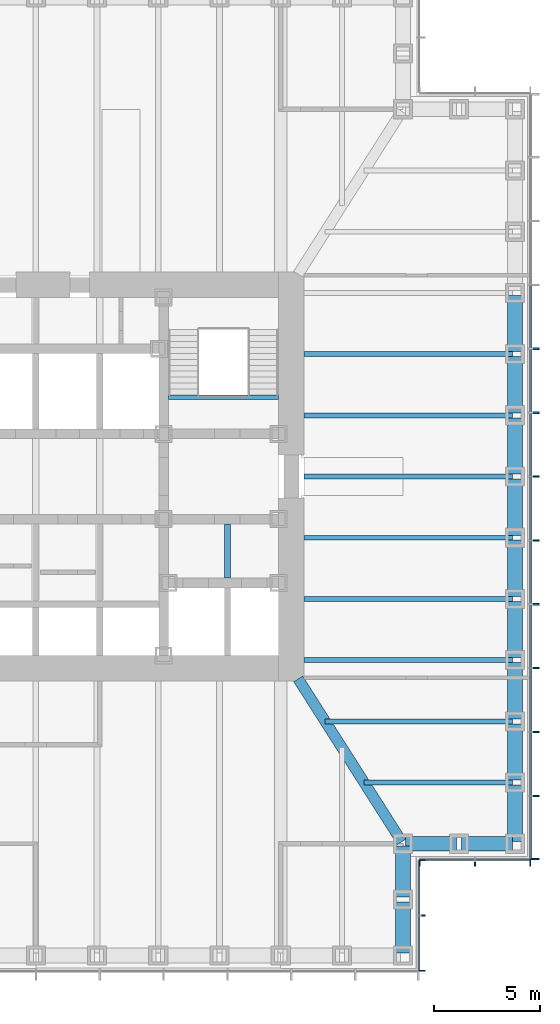
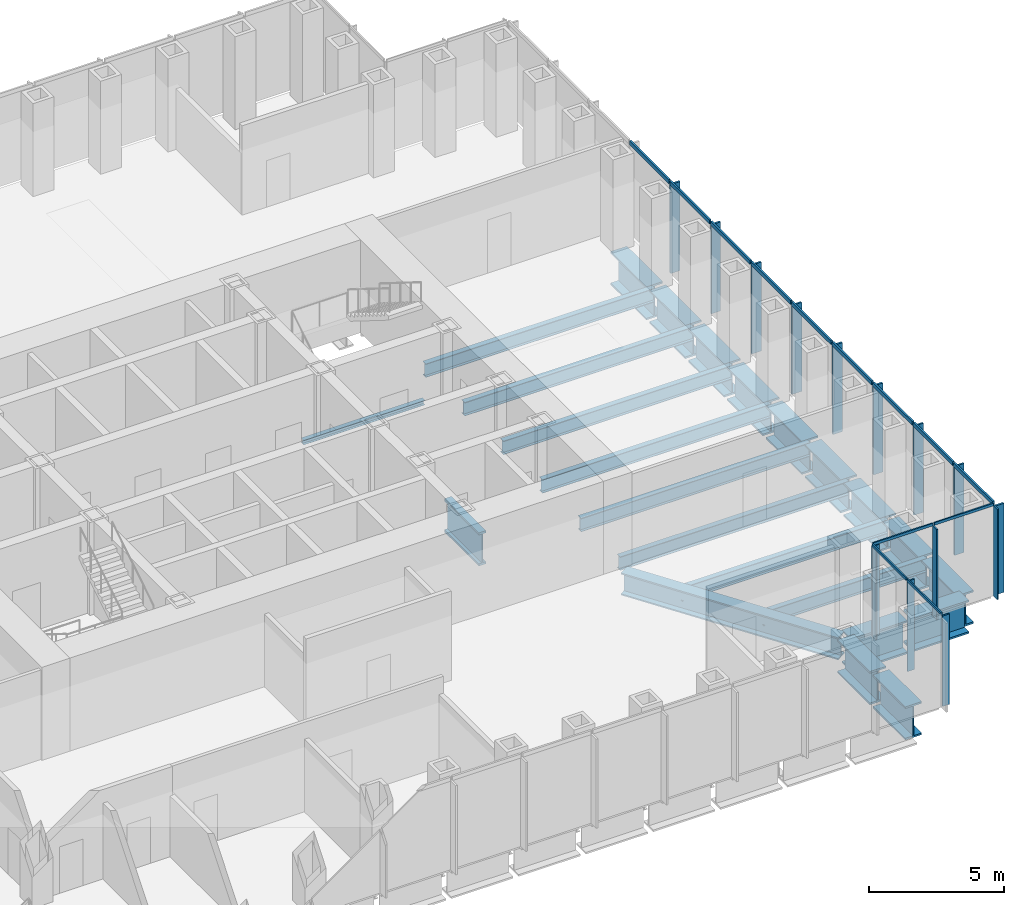
# One storey, part 4 of 16: 28 members, 24 beams, 3 elements without a shape of their own.
"""IFC4 building model written with IfcOpenShell, lengths in metres."""

from ifc_helpers import new_model, si_unit, direction, frame, origin, origin_2d, place, context, subcontext, project, spatial, rectangle, i_section, extrude, material, material_profile, profile_set, type_object, element, aggregate, save


model = new_model("IFC4")

# Units and contexts
model_context = context("Model", 3, precision=1e-05, world=origin(), true_north=direction((0.0, 1.0)))
body_context = subcontext(model_context, "Body", "Model", "MODEL_VIEW")
ifc_project = project(units=[si_unit("LENGTHUNIT", "METRE"), si_unit("AREAUNIT", "SQUARE_METRE"), si_unit("VOLUMEUNIT", "CUBIC_METRE"), si_unit("PLANEANGLEUNIT", "RADIAN"), si_unit("MASSUNIT", "GRAM", prefix="KILO")], contexts=[model_context])

# Site, building, storey
site_placement = place(None, origin())
site = spatial("IfcSite", under=ifc_project, at=site_placement, CompositionType="ELEMENT")
building_placement = place(site_placement, origin())
building = spatial("IfcBuilding", under=site, at=building_placement, Name="Daluyong Arena Tower", CompositionType="ELEMENT")
storey_placement = place(building_placement, frame((0.0, 0.0, 120.699951171875)))
storey = spatial("IfcBuildingStorey", under=building, at=storey_placement, Name="L26", CompositionType="ELEMENT", Elevation=120.699951171875)

# Curtain wall, members
ifc_material_1 = material(Name="Bronze anodised aluminium and glass", Category="aluminium")
curtain_wall_type_1 = type_object("IfcCurtainWallType", Name="Curtain wall CW2", PredefinedType="USERDEFINED", material=ifc_material_1)
curtain_wall_1_placement = place(storey_placement, origin())
curtain_wall_1 = element("IfcCurtainWall", 1, at=curtain_wall_1_placement, inside=storey, type_object=curtain_wall_type_1, Name="curtain wall L26 E", ObjectType="UNITISED CURTAIN WALL", PredefinedType="USERDEFINED")
ifc_material_2 = material(Name="Bronze anodised aluminium fin", Category="aluminium")
ifc_material_profile_1 = material_profile(ifc_material_2, rectangle(XDim=0.39990234375, YDim=0.080078125, at=origin_2d()))
ifc_profile_set_1 = profile_set([ifc_material_profile_1], Name="Bronze anodised aluminium fin")
member_type_1 = type_object("IfcMemberType", Name="CW2 bronze fin 400x80", PredefinedType="MULLION", material=ifc_profile_set_1)
member_1_placement = place(storey_placement, frame((79.449951171875, 62.0400390625, 0.0), z_axis=(0.0, 0.0, 1.0), x_axis=(-1.0, 0.0, 0.0)))
member_1 = element("IfcMember", 2, at=member_1_placement, type_object=member_type_1, Name="curtain wall L26 E fin 1", PredefinedType="MULLION", context=body_context, shape_type="SweptSolid", body=[
    extrude(rectangle(XDim=0.39990234375, YDim=0.080078125, at=origin_2d()), origin(), (0.0, 0.0, 1.0), 4.02001953125),
])
member_2_placement = place(storey_placement, frame((79.449951171875, 65.0, 0.0), z_axis=(0.0, 0.0, 1.0), x_axis=(-1.0, 0.0, 0.0)))
member_2 = element("IfcMember", 3, at=member_2_placement, type_object=member_type_1, Name="curtain wall L26 E fin 2", PredefinedType="MULLION", context=body_context, shape_type="SweptSolid", body=[
    extrude(rectangle(XDim=0.39990234375, YDim=0.080078125, at=origin_2d()), origin(), (0.0, 0.0, 1.0), 4.02001953125),
])
member_3_placement = place(storey_placement, frame((79.449951171875, 68.0, 0.0), z_axis=(0.0, 0.0, 1.0), x_axis=(-1.0, 0.0, 0.0)))
member_3 = element("IfcMember", 4, at=member_3_placement, type_object=member_type_1, Name="curtain wall L26 E fin 3", PredefinedType="MULLION", context=body_context, shape_type="SweptSolid", body=[
    extrude(rectangle(XDim=0.39990234375, YDim=0.080078125, at=origin_2d()), origin(), (0.0, 0.0, 1.0), 4.02001953125),
])
member_4_placement = place(storey_placement, frame((79.449951171875, 71.0, 0.0), z_axis=(0.0, 0.0, 1.0), x_axis=(-1.0, 0.0, 0.0)))
member_4 = element("IfcMember", 5, at=member_4_placement, type_object=member_type_1, Name="curtain wall L26 E fin 4", PredefinedType="MULLION", context=body_context, shape_type="SweptSolid", body=[
    extrude(rectangle(XDim=0.39990234375, YDim=0.080078125, at=origin_2d()), origin(), (0.0, 0.0, 1.0), 4.02001953125),
])
member_5_placement = place(storey_placement, frame((79.449951171875, 74.0, 0.0), z_axis=(0.0, 0.0, 1.0), x_axis=(-1.0, 0.0, 0.0)))
member_5 = element("IfcMember", 6, at=member_5_placement, type_object=member_type_1, Name="curtain wall L26 E fin 5", PredefinedType="MULLION", context=body_context, shape_type="SweptSolid", body=[
    extrude(rectangle(XDim=0.39990234375, YDim=0.080078125, at=origin_2d()), origin(), (0.0, 0.0, 1.0), 4.02001953125),
])
member_6_placement = place(storey_placement, frame((79.449951171875, 77.0, 0.0), z_axis=(0.0, 0.0, 1.0), x_axis=(-1.0, 0.0, 0.0)))
member_6 = element("IfcMember", 7, at=member_6_placement, type_object=member_type_1, Name="curtain wall L26 E fin 6", PredefinedType="MULLION", context=body_context, shape_type="SweptSolid", body=[
    extrude(rectangle(XDim=0.39990234375, YDim=0.080078125, at=origin_2d()), origin(), (0.0, 0.0, 1.0), 4.02001953125),
])
member_7_placement = place(storey_placement, frame((79.449951171875, 80.0, 0.0), z_axis=(0.0, 0.0, 1.0), x_axis=(-1.0, 0.0, 0.0)))
member_7 = element("IfcMember", 8, at=member_7_placement, type_object=member_type_1, Name="curtain wall L26 E fin 7", PredefinedType="MULLION", context=body_context, shape_type="SweptSolid", body=[
    extrude(rectangle(XDim=0.39990234375, YDim=0.080078125, at=origin_2d()), origin(), (0.0, 0.0, 1.0), 4.02001953125),
])
member_8_placement = place(storey_placement, frame((79.449951171875, 83.0, 0.0), z_axis=(0.0, 0.0, 1.0), x_axis=(-1.0, 0.0, 0.0)))
member_8 = element("IfcMember", 9, at=member_8_placement, type_object=member_type_1, Name="curtain wall L26 E fin 8", PredefinedType="MULLION", context=body_context, shape_type="SweptSolid", body=[
    extrude(rectangle(XDim=0.39990234375, YDim=0.080078125, at=origin_2d()), origin(), (0.0, 0.0, 1.0), 4.02001953125),
])
member_9_placement = place(storey_placement, frame((79.449951171875, 86.0, 0.0), z_axis=(0.0, 0.0, 1.0), x_axis=(-1.0, 0.0, 0.0)))
member_9 = element("IfcMember", 10, at=member_9_placement, type_object=member_type_1, Name="curtain wall L26 E fin 9", PredefinedType="MULLION", context=body_context, shape_type="SweptSolid", body=[
    extrude(rectangle(XDim=0.39990234375, YDim=0.080078125, at=origin_2d()), origin(), (0.0, 0.0, 1.0), 4.02001953125),
])
ifc_material_3 = material(Name="Bronze anodised aluminium", Category="aluminium")
ifc_material_profile_2 = material_profile(ifc_material_3, rectangle(XDim=0.080078125, YDim=0.179931640625, at=origin_2d()))
ifc_profile_set_2 = profile_set([ifc_material_profile_2], Name="Bronze anodised aluminium")
member_type_2 = type_object("IfcMemberType", Name="CW2 stack transom 180x80", PredefinedType="USERDEFINED", material=ifc_profile_set_2)
member_10_placement = place(storey_placement, frame((79.25, 62.080078125, 4.110107421875), z_axis=(0.0, 1.0, 0.0), x_axis=(-1.0, 0.0, 0.0)))
member_10 = element("IfcMember", 11, at=member_10_placement, type_object=member_type_2, Name="curtain wall L26 E transom 1", ObjectType="TRANSOM", PredefinedType="USERDEFINED", context=body_context, shape_type="SweptSolid", body=[
    extrude(rectangle(XDim=0.080078125, YDim=0.179931640625, at=origin_2d()), origin(), (0.0, 0.0, 1.0), 2.8798828125),
])
member_11_placement = place(storey_placement, frame((79.25, 65.0400390625, 4.110107421875), z_axis=(0.0, 1.0, 0.0), x_axis=(-1.0, 0.0, 0.0)))
member_11 = element("IfcMember", 12, at=member_11_placement, type_object=member_type_2, Name="curtain wall L26 E transom 2", ObjectType="TRANSOM", PredefinedType="USERDEFINED", context=body_context, shape_type="SweptSolid", body=[
    extrude(rectangle(XDim=0.080078125, YDim=0.179931640625, at=origin_2d()), origin(), (0.0, 0.0, 1.0), 2.919921875),
])
member_12_placement = place(storey_placement, frame((79.25, 68.0400390625, 4.110107421875), z_axis=(0.0, 1.0, 0.0), x_axis=(-1.0, 0.0, 0.0)))
member_12 = element("IfcMember", 13, at=member_12_placement, type_object=member_type_2, Name="curtain wall L26 E transom 3", ObjectType="TRANSOM", PredefinedType="USERDEFINED", context=body_context, shape_type="SweptSolid", body=[
    extrude(rectangle(XDim=0.080078125, YDim=0.179931640625, at=origin_2d()), origin(), (0.0, 0.0, 1.0), 2.919921875),
])
member_13_placement = place(storey_placement, frame((79.25, 71.0400390625, 4.110107421875), z_axis=(0.0, 1.0, 0.0), x_axis=(-1.0, 0.0, 0.0)))
member_13 = element("IfcMember", 14, at=member_13_placement, type_object=member_type_2, Name="curtain wall L26 E transom 4", ObjectType="TRANSOM", PredefinedType="USERDEFINED", context=body_context, shape_type="SweptSolid", body=[
    extrude(rectangle(XDim=0.080078125, YDim=0.179931640625, at=origin_2d()), origin(), (0.0, 0.0, 1.0), 2.919921875),
])
member_14_placement = place(storey_placement, frame((79.25, 74.0400390625, 4.110107421875), z_axis=(0.0, 1.0, 0.0), x_axis=(-1.0, 0.0, 0.0)))
member_14 = element("IfcMember", 15, at=member_14_placement, type_object=member_type_2, Name="curtain wall L26 E transom 5", ObjectType="TRANSOM", PredefinedType="USERDEFINED", context=body_context, shape_type="SweptSolid", body=[
    extrude(rectangle(XDim=0.080078125, YDim=0.179931640625, at=origin_2d()), origin(), (0.0, 0.0, 1.0), 2.919921875),
])
member_15_placement = place(storey_placement, frame((79.25, 77.0400390625, 4.110107421875), z_axis=(0.0, 1.0, 0.0), x_axis=(-1.0, 0.0, 0.0)))
member_15 = element("IfcMember", 16, at=member_15_placement, type_object=member_type_2, Name="curtain wall L26 E transom 6", ObjectType="TRANSOM", PredefinedType="USERDEFINED", context=body_context, shape_type="SweptSolid", body=[
    extrude(rectangle(XDim=0.080078125, YDim=0.179931640625, at=origin_2d()), origin(), (0.0, 0.0, 1.0), 2.919921875),
])
member_16_placement = place(storey_placement, frame((79.25, 80.0400390625, 4.110107421875), z_axis=(0.0, 1.0, 0.0), x_axis=(-1.0, 0.0, 0.0)))
member_16 = element("IfcMember", 17, at=member_16_placement, type_object=member_type_2, Name="curtain wall L26 E transom 7", ObjectType="TRANSOM", PredefinedType="USERDEFINED", context=body_context, shape_type="SweptSolid", body=[
    extrude(rectangle(XDim=0.080078125, YDim=0.179931640625, at=origin_2d()), origin(), (0.0, 0.0, 1.0), 2.919921875),
])
member_17_placement = place(storey_placement, frame((79.25, 83.0400390625, 4.110107421875), z_axis=(0.0, 1.0, 0.0), x_axis=(-1.0, 0.0, 0.0)))
member_17 = element("IfcMember", 18, at=member_17_placement, type_object=member_type_2, Name="curtain wall L26 E transom 8", ObjectType="TRANSOM", PredefinedType="USERDEFINED", context=body_context, shape_type="SweptSolid", body=[
    extrude(rectangle(XDim=0.080078125, YDim=0.179931640625, at=origin_2d()), origin(), (0.0, 0.0, 1.0), 2.919921875),
])
member_18_placement = place(storey_placement, frame((79.25, 86.0400390625, 4.110107421875), z_axis=(0.0, 1.0, 0.0), x_axis=(-1.0, 0.0, 0.0)))
member_18 = element("IfcMember", 19, at=member_18_placement, type_object=member_type_2, Name="curtain wall L26 E transom 9", ObjectType="TRANSOM", PredefinedType="USERDEFINED", context=body_context, shape_type="SweptSolid", body=[
    extrude(rectangle(XDim=0.080078125, YDim=0.179931640625, at=origin_2d()), origin(), (0.0, 0.0, 1.0), 2.919921875),
])
aggregate(curtain_wall_1, [member_1, member_2, member_3, member_4, member_5, member_6, member_7, member_8, member_9, member_10, member_11, member_12, member_13, member_14, member_15, member_16, member_17, member_18])

ifc_material_4 = material(Name="Bronze anodised aluminium and glass", Category="aluminium")
curtain_wall_type_2 = type_object("IfcCurtainWallType", Name="Curtain wall CW7", PredefinedType="USERDEFINED", material=ifc_material_4)
curtain_wall_2_placement = place(storey_placement, origin())
curtain_wall_2 = element("IfcCurtainWall", 20, at=curtain_wall_2_placement, inside=storey, type_object=curtain_wall_type_2, Name="curtain wall L26 SE-E", ObjectType="UNITISED CURTAIN WALL", PredefinedType="USERDEFINED")
ifc_material_5 = material(Name="Bronze anodised aluminium fin", Category="aluminium")
ifc_material_profile_3 = material_profile(ifc_material_5, rectangle(XDim=0.300048828125, YDim=0.06005859375, at=origin_2d()))
ifc_profile_set_3 = profile_set([ifc_material_profile_3], Name="Bronze anodised aluminium fin")
member_type_3 = type_object("IfcMemberType", Name="CW7 bronze fin 300x60", PredefinedType="MULLION", material=ifc_profile_set_3)
member_19_placement = place(storey_placement, frame((74.14990234375, 56.780029296875, 0.0), z_axis=(0.0, 0.0, 1.0), x_axis=(-1.0, 0.0, 0.0)))
member_19 = element("IfcMember", 21, at=member_19_placement, type_object=member_type_3, Name="curtain wall L26 SE-E fin 1", PredefinedType="MULLION", context=body_context, shape_type="SweptSolid", body=[
    extrude(rectangle(XDim=0.300048828125, YDim=0.06005859375, at=origin_2d()), origin(), (0.0, 0.0, 1.0), 4.080078125),
])
member_20_placement = place(storey_placement, frame((74.14990234375, 59.375, 0.0), z_axis=(0.0, 0.0, 1.0), x_axis=(-1.0, 0.0, 0.0)))
member_20 = element("IfcMember", 22, at=member_20_placement, type_object=member_type_3, Name="curtain wall L26 SE-E fin 2", PredefinedType="MULLION", context=body_context, shape_type="SweptSolid", body=[
    extrude(rectangle(XDim=0.300048828125, YDim=0.06005859375, at=origin_2d()), origin(), (0.0, 0.0, 1.0), 4.080078125),
])
member_21_placement = place(storey_placement, frame((74.14990234375, 61.969970703125, 0.0), z_axis=(0.0, 0.0, 1.0), x_axis=(-1.0, 0.0, 0.0)))
member_21 = element("IfcMember", 23, at=member_21_placement, type_object=member_type_3, Name="curtain wall L26 SE-E fin 3", PredefinedType="MULLION", context=body_context, shape_type="SweptSolid", body=[
    extrude(rectangle(XDim=0.300048828125, YDim=0.06005859375, at=origin_2d()), origin(), (0.0, 0.0, 1.0), 4.080078125),
])

curtain_wall_3_placement = place(storey_placement, origin())
curtain_wall_3 = element("IfcCurtainWall", 24, at=curtain_wall_3_placement, inside=storey, type_object=curtain_wall_type_2, Name="curtain wall L26 SE-S", ObjectType="UNITISED CURTAIN WALL", PredefinedType="USERDEFINED")
member_22_placement = place(storey_placement, frame((74.030029296875, 61.85009765625, 0.0), z_axis=(0.0, 0.0, 1.0), x_axis=(0.0, 1.0, 0.0)))
member_22 = element("IfcMember", 25, at=member_22_placement, type_object=member_type_3, Name="curtain wall L26 SE-S fin 1", PredefinedType="MULLION", context=body_context, shape_type="SweptSolid", body=[
    extrude(rectangle(XDim=0.300048828125, YDim=0.06005859375, at=origin_2d()), origin(), (0.0, 0.0, 1.0), 4.080078125),
])
member_23_placement = place(storey_placement, frame((76.625, 61.85009765625, 0.0), z_axis=(0.0, 0.0, 1.0), x_axis=(0.0, 1.0, 0.0)))
member_23 = element("IfcMember", 26, at=member_23_placement, type_object=member_type_3, Name="curtain wall L26 SE-S fin 2", PredefinedType="MULLION", context=body_context, shape_type="SweptSolid", body=[
    extrude(rectangle(XDim=0.300048828125, YDim=0.06005859375, at=origin_2d()), origin(), (0.0, 0.0, 1.0), 4.080078125),
])
member_24_placement = place(storey_placement, frame((79.219970703125, 61.85009765625, 0.0), z_axis=(0.0, 0.0, 1.0), x_axis=(0.0, 1.0, 0.0)))
member_24 = element("IfcMember", 27, at=member_24_placement, type_object=member_type_3, Name="curtain wall L26 SE-S fin 3", PredefinedType="MULLION", context=body_context, shape_type="SweptSolid", body=[
    extrude(rectangle(XDim=0.300048828125, YDim=0.06005859375, at=origin_2d()), origin(), (0.0, 0.0, 1.0), 4.080078125),
])

# Member
ifc_material_6 = material(Name="Bronze anodised aluminium", Category="aluminium")
ifc_material_profile_4 = material_profile(ifc_material_6, rectangle(XDim=0.06005859375, YDim=0.1201171875, at=origin_2d()))
ifc_profile_set_4 = profile_set([ifc_material_profile_4], Name="Bronze anodised aluminium")
member_type_4 = type_object("IfcMemberType", Name="CW7 stack transom 120x60", PredefinedType="USERDEFINED", material=ifc_profile_set_4)
member_25_placement = place(storey_placement, frame((74.0, 56.81005859375, 4.14013671875), z_axis=(0.0, 1.0, 0.0), x_axis=(-1.0, 0.0, 0.0)))
member_25 = element("IfcMember", 28, at=member_25_placement, type_object=member_type_4, Name="curtain wall L26 SE-E transom 1", ObjectType="TRANSOM", PredefinedType="USERDEFINED", context=body_context, shape_type="SweptSolid", body=[
    extrude(rectangle(XDim=0.06005859375, YDim=0.1201171875, at=origin_2d()), origin(), (0.0, 0.0, 1.0), 2.534912109375),
])

member_26_placement = place(storey_placement, frame((74.0, 59.405029296875, 4.14013671875), z_axis=(0.0, 1.0, 0.0), x_axis=(-1.0, 0.0, 0.0)))
member_26 = element("IfcMember", 29, at=member_26_placement, type_object=member_type_4, Name="curtain wall L26 SE-E transom 2", ObjectType="TRANSOM", PredefinedType="USERDEFINED", context=body_context, shape_type="SweptSolid", body=[
    extrude(rectangle(XDim=0.06005859375, YDim=0.1201171875, at=origin_2d()), origin(), (0.0, 0.0, 1.0), 2.534912109375),
])

aggregate(curtain_wall_2, [member_19, member_20, member_21, member_25, member_26])

member_27_placement = place(storey_placement, frame((74.06005859375, 62.0, 4.14013671875), z_axis=(1.0, 0.0, 0.0), x_axis=(0.0, 1.0, 0.0)))
member_27 = element("IfcMember", 30, at=member_27_placement, type_object=member_type_4, Name="curtain wall L26 SE-S transom 1", ObjectType="TRANSOM", PredefinedType="USERDEFINED", context=body_context, shape_type="SweptSolid", body=[
    extrude(rectangle(XDim=0.06005859375, YDim=0.1201171875, at=origin_2d()), origin(), (0.0, 0.0, 1.0), 2.534912109375),
])

member_28_placement = place(storey_placement, frame((76.655029296875, 62.0, 4.14013671875), z_axis=(1.0, 0.0, 0.0), x_axis=(0.0, 1.0, 0.0)))
member_28 = element("IfcMember", 31, at=member_28_placement, type_object=member_type_4, Name="curtain wall L26 SE-S transom 2", ObjectType="TRANSOM", PredefinedType="USERDEFINED", context=body_context, shape_type="SweptSolid", body=[
    extrude(rectangle(XDim=0.06005859375, YDim=0.1201171875, at=origin_2d()), origin(), (0.0, 0.0, 1.0), 2.534912109375),
])

aggregate(curtain_wall_3, [member_22, member_23, member_24, member_27, member_28])

# Beams
ifc_material_7 = material(Name="Steel ASTM A572 Grade 50", Category="steel")
ifc_material_profile_5 = material_profile(ifc_material_7, i_section(OverallWidth=0.5, OverallDepth=1.0, WebThickness=0.03, FlangeThickness=0.06, at=origin_2d()))
ifc_profile_set_5 = profile_set([ifc_material_profile_5], Name="Steel ASTM A572 Grade 50")
beam_type_1 = type_object("IfcBeamType", Name="Corner girder TB1000X500", PredefinedType="BEAM", material=ifc_profile_set_5)
beam_1_placement = place(storey_placement, frame((73.188232421875, 62.846923828125, -0.659912109375), z_axis=(-0.536872006459, 0.843663705916, 0.0), x_axis=(-0.843663705916, -0.536872006459, 0.0)))
element("IfcBeam", 32, at=beam_1_placement, inside=storey, type_object=beam_type_1, Name="corner girder DG2", PredefinedType="BEAM", context=body_context, shape_type="SweptSolid", body=[
    extrude(i_section(OverallWidth=0.5, OverallDepth=1.0, WebThickness=0.03, FlangeThickness=0.06, at=origin_2d()), origin(), (0.0, 0.0, 1.0), 9.06396484375),
])
ifc_material_8 = material(Name="Steel ASTM A992 Grade 50", Category="steel")
ifc_material_profile_6 = material_profile(ifc_material_8, i_section(OverallWidth=0.22900390625, OverallDepth=0.612060546875, WebThickness=0.011962890625, FlangeThickness=0.01953125, at=origin_2d()))
ifc_profile_set_6 = profile_set([ifc_material_profile_6], Name="Steel ASTM A992 Grade 50")
beam_type_2 = type_object("IfcBeamType", Name="Floor beam W24X84", PredefinedType="BEAM", material=ifc_profile_set_6)
beam_2_placement = place(storey_placement, frame((78.385009765625, 65.625, -0.466064453125), z_axis=(-1.0, 0.0, 0.0), x_axis=(0.0, -1.0, 0.0)))
element("IfcBeam", 33, at=beam_2_placement, inside=storey, type_object=beam_type_2, Name="floor beam FB3", PredefinedType="BEAM", context=body_context, shape_type="SweptSolid", body=[
    extrude(i_section(OverallWidth=0.22900390625, OverallDepth=0.612060546875, WebThickness=0.011962890625, FlangeThickness=0.01953125, at=origin_2d()), origin(), (0.0, 0.0, 1.0), 6.964599609375),
])
beam_3_placement = place(storey_placement, frame((78.385009765625, 68.5, -0.466064453125), z_axis=(-1.0, 0.0, 0.0), x_axis=(0.0, -1.0, 0.0)))
element("IfcBeam", 34, at=beam_3_placement, inside=storey, type_object=beam_type_2, Name="floor beam FB3", PredefinedType="BEAM", context=body_context, shape_type="SweptSolid", body=[
    extrude(i_section(OverallWidth=0.22900390625, OverallDepth=0.612060546875, WebThickness=0.011962890625, FlangeThickness=0.01953125, at=origin_2d()), origin(), (0.0, 0.0, 1.0), 8.794189453125),
])
for number, where, z_axis, x_axis, name in (
    (35, (78.385009765625, 71.375, -0.466064453125), (-1.0, 0.0, 0.0), (0.0, -1.0, 0.0), "floor beam FB3"),
    (36, (78.385009765625, 74.25, -0.466064453125), (-1.0, 0.0, 0.0), (0.0, -1.0, 0.0), "floor beam FB3"),
    (37, (78.385009765625, 77.125, -0.466064453125), (-1.0, 0.0, 0.0), (0.0, -1.0, 0.0), "floor beam FB3"),
    (38, (78.385009765625, 80.0, -0.466064453125), (-1.0, 0.0, 0.0), (0.0, -1.0, 0.0), "floor beam FB3"),
    (39, (78.385009765625, 82.875, -0.466064453125), (-1.0, 0.0, 0.0), (0.0, -1.0, 0.0), "floor beam FB3"),
    (40, (78.385009765625, 85.75, -0.466064453125), (-1.0, 0.0, 0.0), (0.0, -1.0, 0.0), "floor beam FB3"),
):
    element("IfcBeam", number, at=place(storey_placement, frame(where, z_axis=z_axis, x_axis=x_axis)), inside=storey, type_object=beam_type_2, Name=name, PredefinedType="BEAM", context=body_context, shape_type="SweptSolid", body=[
        extrude(i_section(OverallWidth=0.22900390625, OverallDepth=0.612060546875, WebThickness=0.011962890625, FlangeThickness=0.01953125, at=origin_2d()), origin(), (0.0, 0.0, 1.0), 9.784912109375),
    ])
ifc_material_9 = material(Name="Steel ASTM A572 Grade 50", Category="steel")
ifc_material_profile_7 = material_profile(ifc_material_9, i_section(OverallWidth=0.300048828125, OverallDepth=1.5, WebThickness=0.04, FlangeThickness=0.1, at=origin_2d()))
ifc_profile_set_7 = profile_set([ifc_material_profile_7], Name="Steel ASTM A572 Grade 50")
beam_type_3 = type_object("IfcBeamType", Name="Lift divider beam PG1500X300", PredefinedType="BEAM", material=ifc_profile_set_7)
beam_4_placement = place(storey_placement, frame((65.0, 75.22509765625, -0.909912109375), z_axis=(0.0, 1.0, 0.0), x_axis=(-1.0, 0.0, 0.0)))
element("IfcBeam", 41, at=beam_4_placement, inside=storey, type_object=beam_type_3, Name="lift divider beam DB2", PredefinedType="BEAM", context=body_context, shape_type="SweptSolid", body=[
    extrude(i_section(OverallWidth=0.300048828125, OverallDepth=1.5, WebThickness=0.04, FlangeThickness=0.1, at=origin_2d()), origin(), (0.0, 0.0, 1.0), 2.5498046875),
])
ifc_material_10 = material(Name="Steel ASTM A572 Grade 50", Category="steel")
ifc_material_profile_8 = material_profile(ifc_material_10, i_section(OverallWidth=0.699951171875, OverallDepth=1.5, WebThickness=0.04, FlangeThickness=0.08, at=origin_2d()))
ifc_profile_set_8 = profile_set([ifc_material_profile_8], Name="Steel ASTM A572 Grade 50")
beam_type_4 = type_object("IfcBeamType", Name="Spandrel Z2 PG1500X700", PredefinedType="SPANDREL", material=ifc_profile_set_8)
for number, where, z_axis, x_axis, name in (
    (42, (73.25, 57.614990234375, -0.909912109375), (0.0, 1.0, 0.0), (-1.0, 0.0, 0.0), "spandrel z2 SB6"),
    (43, (73.25, 60.239990234375, -0.909912109375), (0.0, 1.0, 0.0), (-1.0, 0.0, 0.0), "spandrel z2 SB6"),
    (44, (73.364990234375, 62.75, -0.909912109375), (1.0, 0.0, 0.0), (0.0, 1.0, 0.0), "spandrel z2 SB6"),
    (45, (75.989990234375, 62.75, -0.909912109375), (1.0, 0.0, 0.0), (0.0, 1.0, 0.0), "spandrel z2 SB6"),
):
    element("IfcBeam", number, at=place(storey_placement, frame(where, z_axis=z_axis, x_axis=x_axis)), inside=storey, type_object=beam_type_4, Name=name, PredefinedType="SPANDREL", context=body_context, shape_type="SweptSolid", body=[
        extrude(i_section(OverallWidth=0.699951171875, OverallDepth=1.5, WebThickness=0.04, FlangeThickness=0.08, at=origin_2d()), origin(), (0.0, 0.0, 1.0), 2.39501953125),
    ])
for number, where, z_axis, x_axis, name in (
    (46, (78.5, 62.864990234375, -0.909912109375), (0.0, 1.0, 0.0), (-1.0, 0.0, 0.0), "spandrel z2 SB6"),
    (47, (78.5, 65.739990234375, -0.909912109375), (0.0, 1.0, 0.0), (-1.0, 0.0, 0.0), "spandrel z2 SB6"),
    (48, (78.5, 68.614990234375, -0.909912109375), (0.0, 1.0, 0.0), (-1.0, 0.0, 0.0), "spandrel z2 SB6"),
    (49, (78.5, 71.489990234375, -0.909912109375), (0.0, 1.0, 0.0), (-1.0, 0.0, 0.0), "spandrel z2 SB6"),
    (50, (78.5, 74.364990234375, -0.909912109375), (0.0, 1.0, 0.0), (-1.0, 0.0, 0.0), "spandrel z2 SB6"),
    (51, (78.5, 77.239990234375, -0.909912109375), (0.0, 1.0, 0.0), (-1.0, 0.0, 0.0), "spandrel z2 SB6"),
    (52, (78.5, 80.114990234375, -0.909912109375), (0.0, 1.0, 0.0), (-1.0, 0.0, 0.0), "spandrel z2 SB6"),
    (53, (78.5, 82.989990234375, -0.909912109375), (0.0, 1.0, 0.0), (-1.0, 0.0, 0.0), "spandrel z2 SB6"),
    (54, (78.5, 85.864990234375, -0.909912109375), (0.0, 1.0, 0.0), (-1.0, 0.0, 0.0), "spandrel z2 SB6"),
):
    element("IfcBeam", number, at=place(storey_placement, frame(where, z_axis=z_axis, x_axis=x_axis)), inside=storey, type_object=beam_type_4, Name=name, PredefinedType="SPANDREL", context=body_context, shape_type="SweptSolid", body=[
        extrude(i_section(OverallWidth=0.699951171875, OverallDepth=1.5, WebThickness=0.04, FlangeThickness=0.08, at=origin_2d()), origin(), (0.0, 0.0, 1.0), 2.64501953125),
    ])
ifc_material_11 = material(Name="Steel ASTM A992 Grade 50", Category="steel")
ifc_material_profile_9 = material_profile(ifc_material_11, i_section(OverallWidth=0.203125, OverallDepth=0.203125, WebThickness=0.00732421875, FlangeThickness=0.010986328125, at=origin_2d()))
ifc_profile_set_9 = profile_set([ifc_material_profile_9], Name="Steel ASTM A992 Grade 50")
beam_type_5 = type_object("IfcBeamType", Name="Stair landing beam W8X31", PredefinedType="BEAM", material=ifc_profile_set_9)
beam_5_placement = place(storey_placement, frame((62.22509765625, 83.723388671875, -0.261474609375), z_axis=(1.0, 0.0, 0.0), x_axis=(0.0, 1.0, 0.0)))
element("IfcBeam", 55, at=beam_5_placement, inside=storey, type_object=beam_type_5, Name="exit stair B landing beam", PredefinedType="BEAM", context=body_context, shape_type="SweptSolid", body=[
    extrude(i_section(OverallWidth=0.203125, OverallDepth=0.203125, WebThickness=0.00732421875, FlangeThickness=0.010986328125, at=origin_2d()), origin(), (0.0, 0.0, 1.0), 5.1748046875),
])

save(model, "model.ifc")
